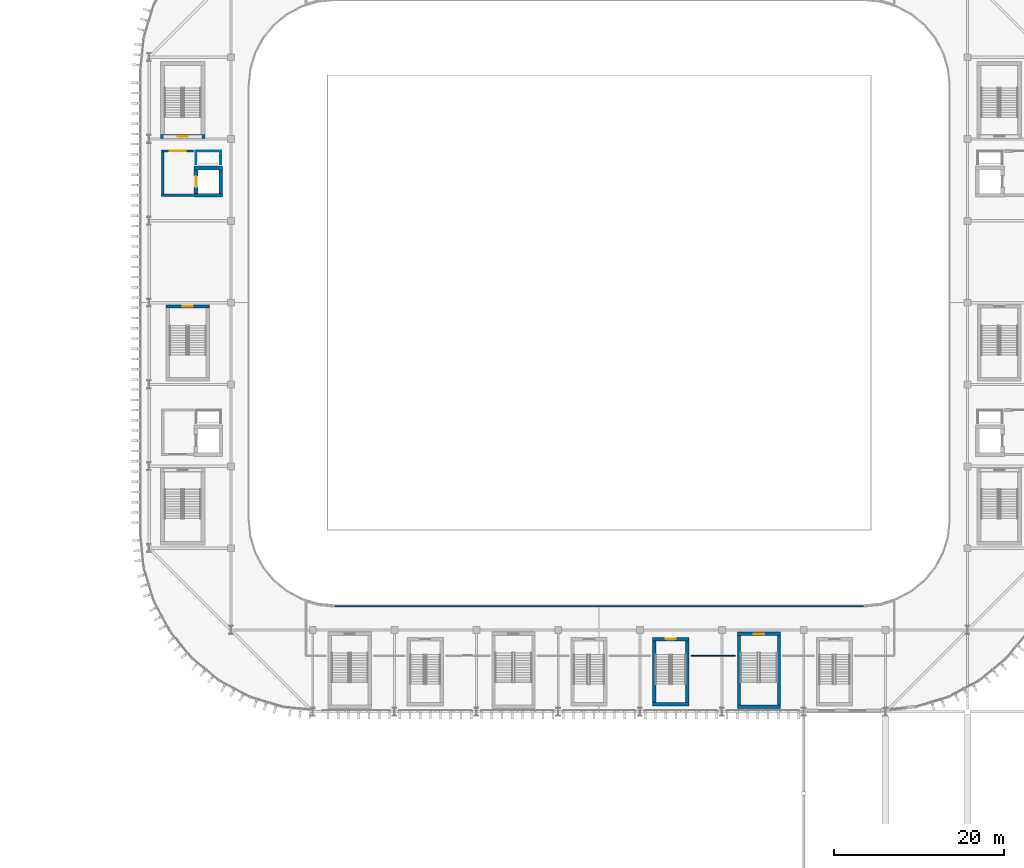
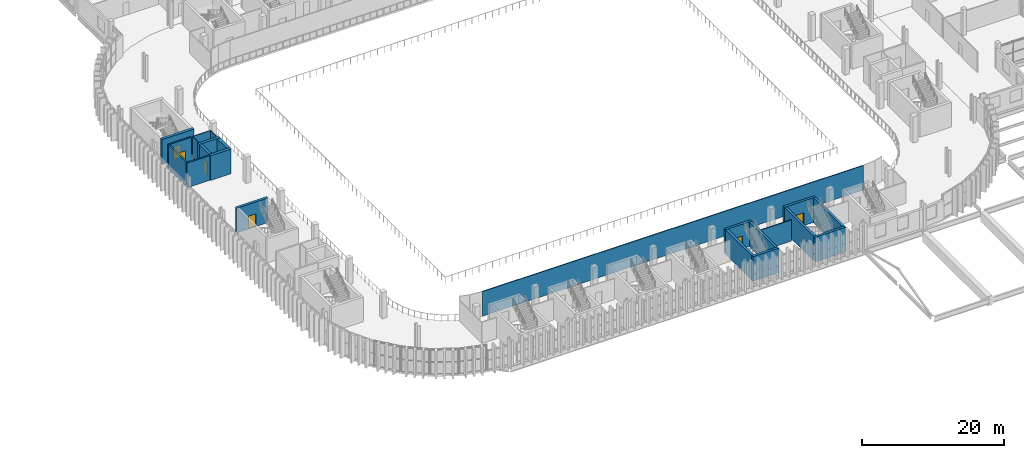
# One storey, part 47 of 75: 22 walls, 6 doors, 6 openings.
"""IFC4 building model written with IfcOpenShell, lengths in metres."""

from ifc_helpers import new_model, si_unit, direction, frame, frame_2d, origin, place, context, subcontext, project, spatial, rectangle, extrude, material, layer, layer_set, type_object, element, fill, save


model = new_model("IFC4")

# Units and contexts
model_context = context("Model", 3, precision=1e-05, world=origin(), true_north=direction((0.0, 1.0)))
body_context = subcontext(model_context, "Body", "Model", "MODEL_VIEW")
ifc_project = project(units=[si_unit("LENGTHUNIT", "METRE"), si_unit("AREAUNIT", "SQUARE_METRE"), si_unit("VOLUMEUNIT", "CUBIC_METRE"), si_unit("PLANEANGLEUNIT", "RADIAN"), si_unit("MASSUNIT", "GRAM", prefix="KILO")], contexts=[model_context])

# Site, building, storey
site_placement = place(None, origin())
site = spatial("IfcSite", under=ifc_project, at=site_placement, CompositionType="ELEMENT")
building_placement = place(site_placement, origin())
building = spatial("IfcBuilding", under=site, at=building_placement, Name="Caelomonte Colonnade Arena", CompositionType="ELEMENT")
storey_placement = place(building_placement, frame((0.0, 0.0, 14.10009765625)))
storey = spatial("IfcBuildingStorey", under=building, at=storey_placement, Name="L03", CompositionType="ELEMENT", Elevation=14.10009765625)

# Wall
ifc_material_1 = material(Name="Concrete C40/50", Category="concrete")
ifc_layer_1 = layer(ifc_material_1, 0.260009765625)
ifc_layer_set_1 = layer_set([ifc_layer_1], Name="Concrete C40/50")
wall_type_1 = type_object("IfcWallType", Name="INT-WL-FW26", PredefinedType="SOLIDWALL", material=ifc_layer_set_1)
wall_1_placement = place(storey_placement, frame((59.070068359375, 79.800048828125, 0.0), z_axis=(0.0, 0.0, 1.0), x_axis=(1.0, 0.0, 0.0)))
element("IfcWall", 1, at=wall_1_placement, inside=storey, type_object=wall_type_1, Name="FW-C4-LB L03 south enclosure wall", PredefinedType="SOLIDWALL", context=body_context, shape_type="SweptSolid", body=[
    extrude(rectangle(XDim=3.760009765625, YDim=0.260009765625, at=frame_2d((1.8798828125, 0.0))), origin(), (0.0, 0.0, 1.0), 4.239990234375),
])

# Wall, opening, door
wall_2_placement = place(storey_placement, frame((62.830078125, 85.0, 0.0), z_axis=(0.0, 0.0, 1.0), x_axis=(-1.0, 0.0, 0.0)))
wall_2 = element("IfcWall", 2, at=wall_2_placement, inside=storey, type_object=wall_type_1, Name="FW-C4-LB L03 north enclosure wall", PredefinedType="SOLIDWALL", context=body_context, shape_type="SweptSolid", body=[
    extrude(rectangle(XDim=3.760009765625, YDim=0.260009765625, at=frame_2d((1.8798828125, 0.0))), origin(), (0.0, 0.0, 1.0), 4.239990234375),
])
opening_1_placement = place(wall_2_placement, frame((2.80517578125, 0.0, 0.0), z_axis=(0.0, 0.0, 1.0), x_axis=(-1.0, 0.0, 0.0)))
opening_1 = element("IfcOpeningElement", 3, at=opening_1_placement, cuts=wall_2, Name="Opening FD-2", PredefinedType="OPENING", context=body_context, shape_type="SweptSolid", body=[
    extrude(rectangle(XDim=1.85009765625, YDim=2.25, at=frame_2d((0.925048828125, 1.125))), frame((0.0, 0.139892578125, 0.0), z_axis=(0.0, -1.0, 0.0), x_axis=(1.0, 0.0, 0.0)), (0.0, 0.0, 1.0), 0.280029296875),
])
ifc_material_2 = material(Name="Fire-rated double steel door", Category="steel")
door_type_1 = type_object("IfcDoorType", Name="INT-DR-FD90B", OperationType="DOUBLE_DOOR_SINGLE_SWING", PredefinedType="DOOR", material=ifc_material_2)
door_1_placement = place(opening_1_placement, origin())
door_1 = element("IfcDoor", 4, at=door_1_placement, inside=storey, type_object=door_type_1, Name="Core C4 L03 lobby fire door", OperationType="DOUBLE_DOOR_SINGLE_SWING", OverallHeight=2.25, OverallWidth=1.85009765625, PredefinedType="DOOR", context=body_context, shape_type="SweptSolid", body=[
    extrude(rectangle(XDim=1.85009765625, YDim=2.25, at=frame_2d((0.925048828125, 1.125))), frame((0.0, 0.02490234375, 0.0), z_axis=(0.0, -1.0, 0.0), x_axis=(1.0, 0.0, 0.0)), (0.0, 0.0, 1.0), 0.050048828125),
])
fill(opening_1, door_1)

# Walls
wall_3_placement = place(storey_placement, frame((59.199951171875, 84.8701171875, 0.0), z_axis=(0.0, 0.0, 1.0), x_axis=(0.0, -1.0, 0.0)))
element("IfcWall", 5, at=wall_3_placement, inside=storey, type_object=wall_type_1, Name="FW-C4-LB L03 west enclosure wall", PredefinedType="SOLIDWALL", context=body_context, shape_type="SweptSolid", body=[
    extrude(rectangle(XDim=4.940185546875, YDim=0.260009765625, at=frame_2d((2.47021484375, 0.0))), origin(), (0.0, 0.0, 1.0), 4.239990234375),
])
ifc_material_3 = material(Name="Service shaft lining partition")
ifc_layer_2 = layer(ifc_material_3, 0.10009765625)
ifc_layer_set_2 = layer_set([ifc_layer_2], Name="Service shaft lining partition")
wall_type_2 = type_object("IfcWallType", Name="INT-WL-PT10", PredefinedType="PARTITIONING", material=ifc_layer_set_2)
wall_4_placement = place(storey_placement, frame((66.050048828125, 85.0, 0.0), z_axis=(0.0, 0.0, 1.0), x_axis=(-1.0, 0.0, 0.0)))
element("IfcWall", 6, at=wall_4_placement, inside=storey, type_object=wall_type_2, Name="FW-C4-RS L03 north enclosure wall", PredefinedType="PARTITIONING", context=body_context, shape_type="SweptSolid", body=[
    extrude(rectangle(XDim=3.0, YDim=0.10009765625, at=frame_2d((1.5, 0.0))), origin(), (0.0, 0.0, 1.0), 4.239990234375),
])
for number, where, z_axis, x_axis, name in (
    (7, (63.10009765625, 84.949951171875, 0.0), (0.0, 0.0, 1.0), (0.0, -1.0, 0.0), "FW-C4-RS L03 west enclosure wall"),
    (8, (66.0, 83.449951171875, 0.0), (0.0, 0.0, 1.0), (0.0, 1.0, 0.0), "FW-C4-RS L03 east enclosure wall"),
):
    element("IfcWall", number, at=place(storey_placement, frame(where, z_axis=z_axis, x_axis=x_axis)), inside=storey, type_object=wall_type_2, Name=name, PredefinedType="PARTITIONING", context=body_context, shape_type="SweptSolid", body=[
        extrude(rectangle(XDim=1.5, YDim=0.10009765625, at=frame_2d((0.75, 0.0))), origin(), (0.0, 0.0, 1.0), 4.239990234375),
    ])
ifc_material_4 = material(Name="Suite demising stud partition")
ifc_layer_3 = layer(ifc_material_4, 0.139892578125)
ifc_layer_set_3 = layer_set([ifc_layer_3], Name="Suite demising stud partition")
wall_type_3 = type_object("IfcWallType", Name="INT-WL-PT14", PredefinedType="PARTITIONING", material=ifc_layer_set_3)
wall_5_placement = place(storey_placement, frame((79.39990234375, 31.580078125, 0.0), z_axis=(0.0, 0.0, 1.0), x_axis=(1.0, 0.0, 0.0)))
element("IfcWall", 9, at=wall_5_placement, inside=storey, type_object=wall_type_3, Name="L03 Hospitality Suite South Ring partition 200", PredefinedType="PARTITIONING", context=body_context, shape_type="SweptSolid", body=[
    extrude(rectangle(XDim=62.0, YDim=0.139892578125, at=frame_2d((31.0, 0.0))), origin(), (0.0, 0.0, 1.0), 4.239990234375),
])
wall_6_placement = place(storey_placement, frame((126.35009765625, 25.800048828125, 0.0), z_axis=(0.0, 0.0, 1.0), x_axis=(-1.0, 0.0, 0.0)))
element("IfcWall", 10, at=wall_6_placement, inside=storey, type_object=wall_type_3, Name="L03 Hospitality Suite South Ring partition 206", PredefinedType="PARTITIONING", context=body_context, shape_type="SweptSolid", body=[
    extrude(rectangle(XDim=5.170166015625, YDim=0.139892578125, at=frame_2d((2.5849609375, 0.0))), origin(), (0.0, 0.0, 1.0), 3.637939453125),
])

# Wall, opening, door
ifc_material_5 = material(Name="Concrete C50/60", Category="concrete")
ifc_layer_4 = layer(ifc_material_5, 0.39990234375)
ifc_layer_set_4 = layer_set([ifc_layer_4], Name="Concrete C50/60")
wall_type_4 = type_object("IfcWallType", Name="INT-WL-SH40", PredefinedType="SHEAR", material=ifc_layer_set_4)
wall_7_placement = place(storey_placement, frame((64.699951171875, 66.75, 0.0), z_axis=(0.0, 0.0, 1.0), x_axis=(-1.0, 0.0, 0.0)))
wall_7 = element("IfcWall", 11, at=wall_7_placement, inside=storey, type_object=wall_type_4, Name="CW-ST-09 L03 north enclosure wall", PredefinedType="SHEAR", context=body_context, shape_type="SweptSolid", body=[
    extrude(rectangle(XDim=5.099853515625, YDim=0.39990234375, at=frame_2d((2.5498046875, 0.0))), origin(), (0.0, 0.0, 1.0), 4.239990234375),
])
opening_2_placement = place(wall_7_placement, frame((3.14990234375, 0.0, 0.0), z_axis=(0.0, 0.0, 1.0), x_axis=(-1.0, 0.0, 0.0)))
opening_2 = element("IfcOpeningElement", 12, at=opening_2_placement, cuts=wall_7, Name="Opening FD-1", PredefinedType="OPENING", context=body_context, shape_type="SweptSolid", body=[
    extrude(rectangle(XDim=1.199951171875, YDim=2.199951171875, at=frame_2d((0.60009765625, 1.10009765625))), frame((0.0, 0.2099609375, 0.0), z_axis=(0.0, -1.0, 0.0), x_axis=(1.0, 0.0, 0.0)), (0.0, 0.0, 1.0), 0.419921875),
])
ifc_material_6 = material(Name="Fire-rated steel door", Category="steel")
door_type_2 = type_object("IfcDoorType", Name="INT-DR-FD90A", OperationType="NOTDEFINED", PredefinedType="DOOR", material=ifc_material_6)
door_2_placement = place(opening_2_placement, origin())
door_2 = element("IfcDoor", 13, at=door_2_placement, inside=storey, type_object=door_type_2, Name="Protected exit stair ST-09 L03 fire door", OperationType="SINGLE_SWING_RIGHT", OverallHeight=2.199951171875, OverallWidth=1.199951171875, PredefinedType="DOOR", context=body_context, shape_type="SweptSolid", body=[
    extrude(rectangle(XDim=1.199951171875, YDim=2.199951171875, at=frame_2d((0.60009765625, 1.10009765625))), frame((0.0, 0.02490234375, 0.0), z_axis=(0.0, -1.0, 0.0), x_axis=(1.0, 0.0, 0.0)), (0.0, 0.0, 1.0), 0.050048828125),
])
fill(opening_2, door_2)

# Wall
wall_8_placement = place(storey_placement, frame((126.60009765625, 19.800048828125, 0.0), z_axis=(0.0, 0.0, 1.0), x_axis=(1.0, 0.0, 0.0)))
element("IfcWall", 14, at=wall_8_placement, inside=storey, type_object=wall_type_4, Name="CW-ST-13 L03 south enclosure wall", PredefinedType="SHEAR", context=body_context, shape_type="SweptSolid", body=[
    extrude(rectangle(XDim=5.099853515625, YDim=0.39990234375, at=frame_2d((2.5498046875, 0.0))), origin(), (0.0, 0.0, 1.0), 4.239990234375),
])

# Wall, opening, door
wall_9_placement = place(storey_placement, frame((131.699951171875, 28.35009765625, 0.0), z_axis=(0.0, 0.0, 1.0), x_axis=(-1.0, 0.0, 0.0)))
wall_9 = element("IfcWall", 15, at=wall_9_placement, inside=storey, type_object=wall_type_4, Name="CW-ST-13 L03 north enclosure wall", PredefinedType="SHEAR", context=body_context, shape_type="SweptSolid", body=[
    extrude(rectangle(XDim=5.099853515625, YDim=0.39990234375, at=frame_2d((2.5498046875, 0.0))), origin(), (0.0, 0.0, 1.0), 4.239990234375),
])
opening_3_placement = place(wall_9_placement, frame((3.14990234375, 0.0, 0.0), z_axis=(0.0, 0.0, 1.0), x_axis=(-1.0, 0.0, 0.0)))
opening_3 = element("IfcOpeningElement", 16, at=opening_3_placement, cuts=wall_9, Name="Opening FD-1", PredefinedType="OPENING", context=body_context, shape_type="SweptSolid", body=[
    extrude(rectangle(XDim=1.199951171875, YDim=2.199951171875, at=frame_2d((0.60009765625, 1.10009765625))), frame((0.0, 0.2099609375, 0.0), z_axis=(0.0, -1.0, 0.0), x_axis=(1.0, 0.0, 0.0)), (0.0, 0.0, 1.0), 0.419921875),
])
door_3_placement = place(opening_3_placement, origin())
door_3 = element("IfcDoor", 17, at=door_3_placement, inside=storey, type_object=door_type_2, Name="Protected exit stair ST-13 L03 fire door", OperationType="SINGLE_SWING_RIGHT", OverallHeight=2.199951171875, OverallWidth=1.199951171875, PredefinedType="DOOR", context=body_context, shape_type="SweptSolid", body=[
    extrude(rectangle(XDim=1.199951171875, YDim=2.199951171875, at=frame_2d((0.60009765625, 1.10009765625))), frame((0.0, 0.02490234375, 0.0), z_axis=(0.0, -1.0, 0.0), x_axis=(1.0, 0.0, 0.0)), (0.0, 0.0, 1.0), 0.050048828125),
])
fill(opening_3, door_3)

# Walls
for number, where, z_axis, x_axis, name in (
    (18, (126.800048828125, 28.14990234375, 0.0), (0.0, 0.0, 1.0), (0.0, -1.0, 0.0), "CW-ST-13 L03 west enclosure wall"),
    (19, (131.5, 20.0, 0.0), (0.0, 0.0, 1.0), (0.0, 1.0, 0.0), "CW-ST-13 L03 east enclosure wall"),
):
    element("IfcWall", number, at=place(storey_placement, frame(where, z_axis=z_axis, x_axis=x_axis)), inside=storey, type_object=wall_type_4, Name=name, PredefinedType="SHEAR", context=body_context, shape_type="SweptSolid", body=[
        extrude(rectangle(XDim=8.14990234375, YDim=0.39990234375, at=frame_2d((4.074951171875, 0.0))), origin(), (0.0, 0.0, 1.0), 4.239990234375),
    ])
wall_10_placement = place(storey_placement, frame((116.669921875, 20.070068359375, 0.0), z_axis=(0.0, 0.0, 1.0), x_axis=(1.0, 0.0, 0.0)))
element("IfcWall", 20, at=wall_10_placement, inside=storey, type_object=wall_type_4, Name="CW-ST-V11 L03 south enclosure wall", PredefinedType="SHEAR", context=body_context, shape_type="SweptSolid", body=[
    extrude(rectangle(XDim=4.260009765625, YDim=0.39990234375, at=frame_2d((2.1298828125, 0.0))), origin(), (0.0, 0.0, 1.0), 4.239990234375),
])

# Wall, opening, door
wall_11_placement = place(storey_placement, frame((120.929931640625, 27.72998046875, 0.0), z_axis=(0.0, 0.0, 1.0), x_axis=(-1.0, 0.0, 0.0)))
wall_11 = element("IfcWall", 21, at=wall_11_placement, inside=storey, type_object=wall_type_4, Name="CW-ST-V11 L03 north enclosure wall", PredefinedType="SHEAR", context=body_context, shape_type="SweptSolid", body=[
    extrude(rectangle(XDim=4.260009765625, YDim=0.39990234375, at=frame_2d((2.1298828125, 0.0))), origin(), (0.0, 0.0, 1.0), 4.239990234375),
])
opening_4_placement = place(wall_11_placement, frame((2.72998046875, 0.0, 0.0), z_axis=(0.0, 0.0, 1.0), x_axis=(-1.0, 0.0, 0.0)))
opening_4 = element("IfcOpeningElement", 22, at=opening_4_placement, cuts=wall_11, Name="Opening FD-1", PredefinedType="OPENING", context=body_context, shape_type="SweptSolid", body=[
    extrude(rectangle(XDim=1.199951171875, YDim=2.199951171875, at=frame_2d((0.60009765625, 1.10009765625))), frame((0.0, 0.2099609375, 0.0), z_axis=(0.0, -1.0, 0.0), x_axis=(1.0, 0.0, 0.0)), (0.0, 0.0, 1.0), 0.419921875),
])
door_4_placement = place(opening_4_placement, origin())
door_4 = element("IfcDoor", 23, at=door_4_placement, inside=storey, type_object=door_type_2, Name="Vomitory VOM-11 stair ST-V11 L03 portal door", OperationType="SINGLE_SWING_RIGHT", OverallHeight=2.199951171875, OverallWidth=1.199951171875, PredefinedType="DOOR", context=body_context, shape_type="SweptSolid", body=[
    extrude(rectangle(XDim=1.199951171875, YDim=2.199951171875, at=frame_2d((0.60009765625, 1.10009765625))), frame((0.0, 0.02490234375, 0.0), z_axis=(0.0, -1.0, 0.0), x_axis=(1.0, 0.0, 0.0)), (0.0, 0.0, 1.0), 0.050048828125),
])
fill(opening_4, door_4)

# Walls
for number, where, z_axis, x_axis, name in (
    (24, (116.8701171875, 27.530029296875, 0.0), (0.0, 0.0, 1.0), (0.0, -1.0, 0.0), "CW-ST-V11 L03 west enclosure wall"),
    (25, (120.72998046875, 20.27001953125, 0.0), (0.0, 0.0, 1.0), (0.0, 1.0, 0.0), "CW-ST-V11 L03 east enclosure wall"),
):
    element("IfcWall", number, at=place(storey_placement, frame(where, z_axis=z_axis, x_axis=x_axis)), inside=storey, type_object=wall_type_4, Name=name, PredefinedType="SHEAR", context=body_context, shape_type="SweptSolid", body=[
        extrude(rectangle(XDim=7.260009765625, YDim=0.39990234375, at=frame_2d((3.6298828125, 0.0))), origin(), (0.0, 0.0, 1.0), 4.239990234375),
    ])

# Wall, opening, door
ifc_layer_5 = layer(ifc_material_5, 0.449951171875)
ifc_layer_set_5 = layer_set([ifc_layer_5], Name="Concrete C50/60")
wall_type_5 = type_object("IfcWallType", Name="INT-WL-SH45", PredefinedType="SHEAR", material=ifc_layer_set_5)
wall_12_placement = place(storey_placement, frame((58.949951171875, 86.675048828125, 0.0), z_axis=(0.0, 0.0, 1.0), x_axis=(1.0, 0.0, 0.0)))
wall_12 = element("IfcWall", 26, at=wall_12_placement, inside=storey, type_object=wall_type_5, Name="CW-C4-ST L03 south enclosure wall", PredefinedType="SHEAR", context=body_context, shape_type="SweptSolid", body=[
    extrude(rectangle(XDim=5.199951171875, YDim=0.449951171875, at=frame_2d((2.60009765625, 0.0))), origin(), (0.0, 0.0, 1.0), 4.239990234375),
])
opening_5_placement = place(wall_12_placement, frame((3.199951171875, 0.0, 0.0), z_axis=(0.0, 0.0, 1.0), x_axis=(-1.0, 0.0, 0.0)))
opening_5 = element("IfcOpeningElement", 27, at=opening_5_placement, cuts=wall_12, Name="Opening FD-1", PredefinedType="OPENING", context=body_context, shape_type="SweptSolid", body=[
    extrude(rectangle(XDim=1.199951171875, YDim=2.199951171875, at=frame_2d((0.60009765625, 1.10009765625))), frame((0.0, 0.23486328125, 0.0), z_axis=(0.0, -1.0, 0.0), x_axis=(1.0, 0.0, 0.0)), (0.0, 0.0, 1.0), 0.469970703125),
])
door_5_placement = place(opening_5_placement, origin())
door_5 = element("IfcDoor", 28, at=door_5_placement, inside=storey, type_object=door_type_2, Name="Core C4 L03 exit stair fire door", OperationType="SINGLE_SWING_LEFT", OverallHeight=2.199951171875, OverallWidth=1.199951171875, PredefinedType="DOOR", context=body_context, shape_type="SweptSolid", body=[
    extrude(rectangle(XDim=1.199951171875, YDim=2.199951171875, at=frame_2d((0.60009765625, 1.10009765625))), frame((0.0, 0.02490234375, 0.0), z_axis=(0.0, -1.0, 0.0), x_axis=(1.0, 0.0, 0.0)), (0.0, 0.0, 1.0), 0.050048828125),
])
fill(opening_5, door_5)

# Walls
for number, where, z_axis, x_axis, name in (
    (29, (62.875, 79.800048828125, 0.0), (0.0, 0.0, 1.0), (1.0, 0.0, 0.0), "CW-C4-LF L03 south enclosure wall"),
    (30, (66.22509765625, 83.0, 0.0), (0.0, 0.0, 1.0), (-1.0, 0.0, 0.0), "CW-C4-LF L03 north enclosure wall"),
):
    element("IfcWall", number, at=place(storey_placement, frame(where, z_axis=z_axis, x_axis=x_axis)), inside=storey, type_object=wall_type_5, Name=name, PredefinedType="SHEAR", context=body_context, shape_type="SweptSolid", body=[
        extrude(rectangle(XDim=3.35009765625, YDim=0.449951171875, at=frame_2d((1.675048828125, 0.0))), origin(), (0.0, 0.0, 1.0), 4.239990234375),
    ])

# Wall, opening, door
wall_13_placement = place(storey_placement, frame((63.10009765625, 82.77490234375, 0.0), z_axis=(0.0, 0.0, 1.0), x_axis=(0.0, -1.0, 0.0)))
wall_13 = element("IfcWall", 31, at=wall_13_placement, inside=storey, type_object=wall_type_5, Name="CW-C4-LF L03 west enclosure wall", PredefinedType="SHEAR", context=body_context, shape_type="SweptSolid", body=[
    extrude(rectangle(XDim=2.75, YDim=0.449951171875, at=frame_2d((1.375, 0.0))), origin(), (0.0, 0.0, 1.0), 4.239990234375),
])
opening_6_placement = place(wall_13_placement, frame((0.72509765625, 0.0, 0.0), z_axis=(0.0, 0.0, 1.0), x_axis=(1.0, 0.0, 0.0)))
opening_6 = element("IfcOpeningElement", 32, at=opening_6_placement, cuts=wall_13, Name="Opening LD-FL-04-L03", PredefinedType="OPENING", context=body_context, shape_type="SweptSolid", body=[
    extrude(rectangle(XDim=1.300048828125, YDim=2.25, at=frame_2d((0.64990234375, 1.125))), frame((0.0, 0.23486328125, 0.0), z_axis=(0.0, -1.0, 0.0), x_axis=(1.0, 0.0, 0.0)), (0.0, 0.0, 1.0), 0.469970703125),
])
ifc_material_7 = material(Name="Firefighting lift landing door")
door_type_3 = type_object("IfcDoorType", Name="INT-DR-LD2", OperationType="SLIDING_TO_RIGHT", PredefinedType="DOOR", material=ifc_material_7)
door_6_placement = place(opening_6_placement, origin())
door_6 = element("IfcDoor", 33, at=door_6_placement, inside=storey, type_object=door_type_3, Name="Lift FL-04 L03 sliding landing door", OperationType="SLIDING_TO_RIGHT", OverallHeight=2.25, OverallWidth=1.300048828125, PredefinedType="DOOR", context=body_context, shape_type="SweptSolid", body=[
    extrude(rectangle(XDim=1.300048828125, YDim=2.25, at=frame_2d((0.64990234375, 1.125))), frame((0.0, 0.02490234375, 0.0), z_axis=(0.0, -1.0, 0.0), x_axis=(1.0, 0.0, 0.0)), (0.0, 0.0, 1.0), 0.050048828125),
])
fill(opening_6, door_6)

# Wall
wall_14_placement = place(storey_placement, frame((66.0, 80.02490234375, 0.0), z_axis=(0.0, 0.0, 1.0), x_axis=(0.0, 1.0, 0.0)))
element("IfcWall", 34, at=wall_14_placement, inside=storey, type_object=wall_type_5, Name="CW-C4-LF L03 east enclosure wall", PredefinedType="SHEAR", context=body_context, shape_type="SweptSolid", body=[
    extrude(rectangle(XDim=2.75, YDim=0.449951171875, at=frame_2d((1.375, 0.0))), origin(), (0.0, 0.0, 1.0), 4.239990234375),
])

save(model, "model.ifc")
